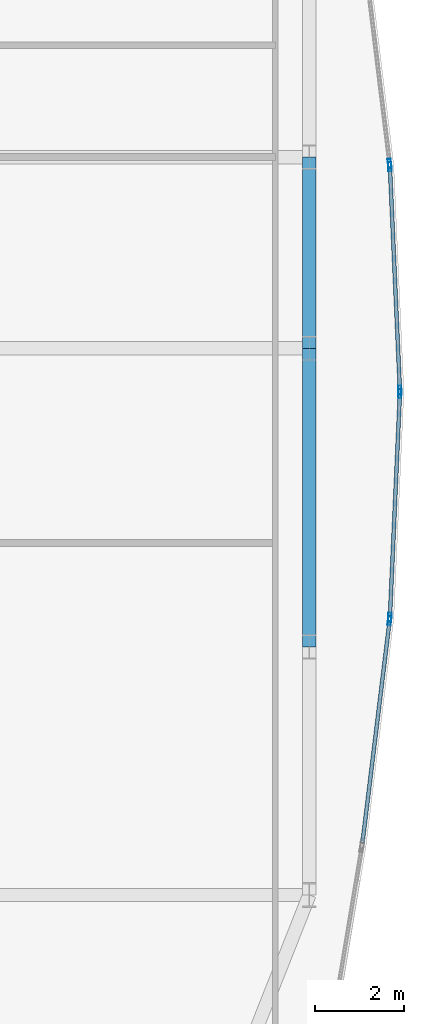
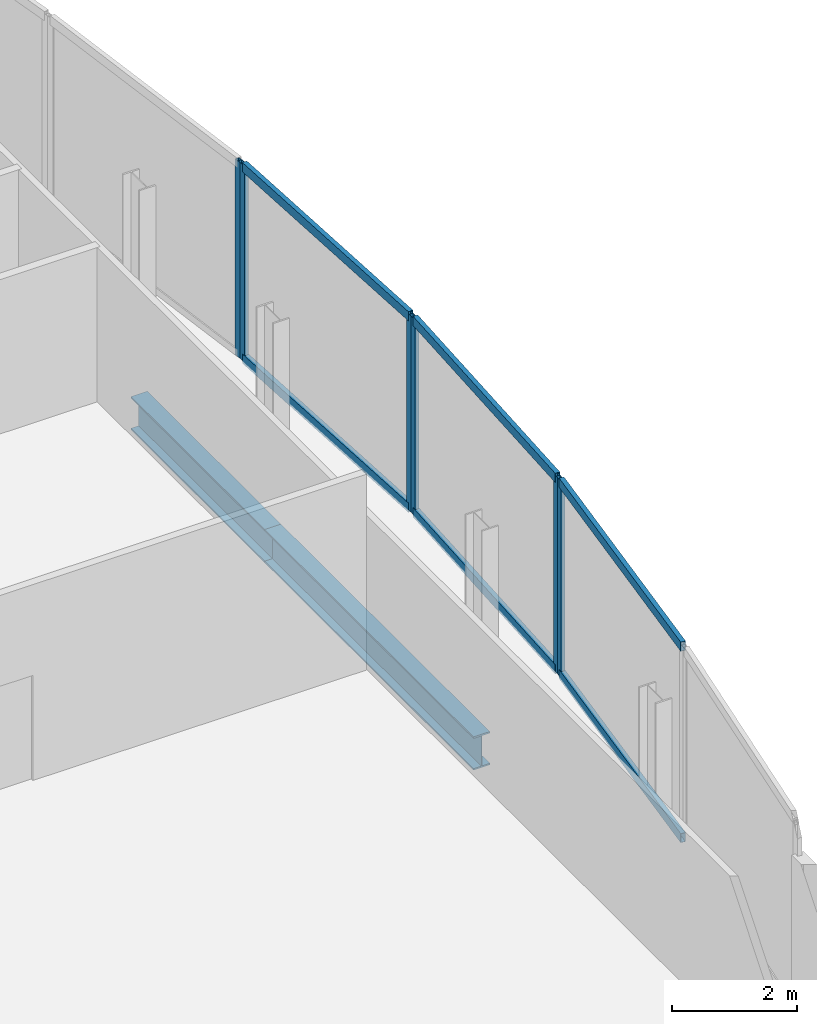
# One storey, part 22 of 32: 12 members, 2 beams, 4 elements without a shape of their own.
"""IFC4 building model written with IfcOpenShell, lengths in metres."""

from ifc_helpers import new_model, si_unit, direction, frame, origin, origin_2d, place, context, subcontext, project, spatial, hollow_rectangle, i_section, extrude, material, material_profile, profile_set, type_object, element, aggregate, save


model = new_model("IFC4")

# Units and contexts
model_context = context("Model", 3, precision=1e-05, world=origin(), true_north=direction((0.0, 1.0)))
body_context = subcontext(model_context, "Body", "Model", "MODEL_VIEW")
ifc_project = project(units=[si_unit("LENGTHUNIT", "METRE"), si_unit("AREAUNIT", "SQUARE_METRE"), si_unit("VOLUMEUNIT", "CUBIC_METRE"), si_unit("PLANEANGLEUNIT", "RADIAN"), si_unit("MASSUNIT", "GRAM", prefix="KILO")], contexts=[model_context])

# Site, building, storey
site_placement = place(None, origin())
site = spatial("IfcSite", under=ifc_project, at=site_placement, CompositionType="ELEMENT")
building_placement = place(site_placement, origin())
building = spatial("IfcBuilding", under=site, at=building_placement, Name="Khoronbel Lancet Exchange", CompositionType="ELEMENT")
storey_placement = place(building_placement, frame((0.0, 0.0, 41.800048828125)))
storey = spatial("IfcBuildingStorey", under=building, at=storey_placement, Name="L09", CompositionType="ELEMENT", Elevation=41.800048828125)

# Beams
ifc_material_1 = material(Name="Steel S355", Category="steel")
ifc_material_profile_1 = material_profile(ifc_material_1, i_section(OverallWidth=0.300048828125, OverallDepth=0.64990234375, WebThickness=0.01611328125, FlangeThickness=0.031005859375, at=origin_2d()), Name="HEB 650")
ifc_profile_set_1 = profile_set([ifc_material_profile_1], Name="Steel S355")
beam_type = type_object("IfcBeamType", Name="BM-BSP1", PredefinedType="SPANDREL", material=ifc_profile_set_1)
beam_1_placement = place(storey_placement, frame((71.6298828125, 24.75, -0.505126953125), z_axis=(0.0, 1.0, 0.0), x_axis=(-1.0, 0.0, 0.0)))
element("IfcBeam", 1, at=beam_1_placement, inside=storey, type_object=beam_type, Name="Level L09 perimeter spandrel beam SP12", PredefinedType="SPANDREL", context=body_context, shape_type="SweptSolid", body=[
    extrude(i_section(OverallWidth=0.300048828125, OverallDepth=0.64990234375, WebThickness=0.01611328125, FlangeThickness=0.031005859375, at=origin_2d()), origin(), (0.0, 0.0, 1.0), 6.675048828125),
])
beam_2_placement = place(storey_placement, frame((71.6298828125, 31.425048828125, -0.505126953125), z_axis=(0.0, 1.0, 0.0), x_axis=(-1.0, 0.0, 0.0)))
element("IfcBeam", 2, at=beam_2_placement, inside=storey, type_object=beam_type, Name="Level L09 perimeter spandrel beam SP13", PredefinedType="SPANDREL", context=body_context, shape_type="SweptSolid", body=[
    extrude(i_section(OverallWidth=0.300048828125, OverallDepth=0.64990234375, WebThickness=0.01611328125, FlangeThickness=0.031005859375, at=origin_2d()), origin(), (0.0, 0.0, 1.0), 4.27490234375),
])

# Curtain wall, member
ifc_material_2 = material(Name="Low-E Solar Control Insulating Glass", Category="glass")
curtain_wall_type = type_object("IfcCurtainWallType", Name="CW-4", PredefinedType="NOTDEFINED", material=ifc_material_2)
curtain_wall_1_placement = place(storey_placement, origin())
curtain_wall_1 = element("IfcCurtainWall", 3, at=curtain_wall_1_placement, inside=storey, type_object=curtain_wall_type, Name="Unitised curtain wall CW-L09-E18", PredefinedType="NOTDEFINED")
ifc_material_3 = material(Name="Bronze-Anodised Aluminium 6063-T6", Category="aluminium")
ifc_material_profile_2 = material_profile(ifc_material_3, hollow_rectangle(XDim=0.074951171875, YDim=0.199951171875, WallThickness=0.0048828125, at=origin_2d()), Name="ALU MULLION 75x200")
ifc_profile_set_2 = profile_set([ifc_material_profile_2], Name="Bronze-Anodised Aluminium 6063-T6")
member_type_1 = type_object("IfcMemberType", Name="MEM-CWM2", PredefinedType="MULLION", material=ifc_profile_set_2)
member_1_placement = place(storey_placement, frame((73.425048828125, 35.56298828125, 0.0), z_axis=(0.0, 0.0, 1.0), x_axis=(0.992621623813, 0.121253090432, 0.0)))
member_1 = element("IfcMember", 4, at=member_1_placement, type_object=member_type_1, Name="CW4 mullion 2", PredefinedType="MULLION", context=body_context, shape_type="SweptSolid", body=[
    extrude(hollow_rectangle(XDim=0.074951171875, YDim=0.199951171875, WallThickness=0.0048828125, at=origin_2d()), origin(), (0.0, 0.0, 1.0), 3.820068359375),
])
aggregate(curtain_wall_1, [member_1])

# Curtain wall, members
curtain_wall_2_placement = place(storey_placement, origin())
curtain_wall_2 = element("IfcCurtainWall", 5, at=curtain_wall_2_placement, inside=storey, type_object=curtain_wall_type, Name="Unitised curtain wall CW-L09-E19", PredefinedType="NOTDEFINED")
member_2_placement = place(storey_placement, frame((73.43115234375, 35.48828125, 0.0), z_axis=(0.0, 0.0, 1.0), x_axis=(0.999001468312, 0.044677357922, 0.0)))
member_2 = element("IfcMember", 6, at=member_2_placement, type_object=member_type_1, Name="CW4 mullion 1", PredefinedType="MULLION", context=body_context, shape_type="SweptSolid", body=[
    extrude(hollow_rectangle(XDim=0.074951171875, YDim=0.199951171875, WallThickness=0.0048828125, at=origin_2d()), origin(), (0.0, 0.0, 1.0), 3.820068359375),
])
member_3_placement = place(storey_placement, frame((73.65478515625, 30.487548828125, 0.0), z_axis=(0.0, 0.0, 1.0), x_axis=(0.999001468312, 0.044677357922, 0.0)))
member_3 = element("IfcMember", 7, at=member_3_placement, type_object=member_type_1, Name="CW4 mullion 2", PredefinedType="MULLION", context=body_context, shape_type="SweptSolid", body=[
    extrude(hollow_rectangle(XDim=0.074951171875, YDim=0.199951171875, WallThickness=0.0048828125, at=origin_2d()), origin(), (0.0, 0.0, 1.0), 3.820068359375),
])

curtain_wall_3_placement = place(storey_placement, origin())
curtain_wall_3 = element("IfcCurtainWall", 8, at=curtain_wall_3_placement, inside=storey, type_object=curtain_wall_type, Name="Unitised curtain wall CW-L09-E20", PredefinedType="NOTDEFINED")
member_4_placement = place(storey_placement, frame((73.65478515625, 30.41259765625, 0.0), z_axis=(0.0, 0.0, 1.0), x_axis=(0.999001468312, -0.044677357922, 0.0)))
member_4 = element("IfcMember", 9, at=member_4_placement, type_object=member_type_1, Name="CW4 mullion 1", PredefinedType="MULLION", context=body_context, shape_type="SweptSolid", body=[
    extrude(hollow_rectangle(XDim=0.074951171875, YDim=0.199951171875, WallThickness=0.0048828125, at=origin_2d()), origin(), (0.0, 0.0, 1.0), 3.820068359375),
])
member_5_placement = place(storey_placement, frame((73.43115234375, 25.41162109375, 0.0), z_axis=(0.0, 0.0, 1.0), x_axis=(0.999001468312, -0.044677357922, 0.0)))
member_5 = element("IfcMember", 10, at=member_5_placement, type_object=member_type_1, Name="CW4 mullion 2", PredefinedType="MULLION", context=body_context, shape_type="SweptSolid", body=[
    extrude(hollow_rectangle(XDim=0.074951171875, YDim=0.199951171875, WallThickness=0.0048828125, at=origin_2d()), origin(), (0.0, 0.0, 1.0), 3.820068359375),
])

# Curtain wall, member
curtain_wall_4_placement = place(storey_placement, origin())
curtain_wall_4 = element("IfcCurtainWall", 11, at=curtain_wall_4_placement, inside=storey, type_object=curtain_wall_type, Name="Unitised curtain wall CW-L09-E21", PredefinedType="NOTDEFINED")
member_6_placement = place(storey_placement, frame((73.425048828125, 25.3369140625, 0.0), z_axis=(0.0, 0.0, 1.0), x_axis=(0.992621623813, -0.121253090432, 0.0)))
member_6 = element("IfcMember", 12, at=member_6_placement, type_object=member_type_1, Name="CW4 mullion 1", PredefinedType="MULLION", context=body_context, shape_type="SweptSolid", body=[
    extrude(hollow_rectangle(XDim=0.074951171875, YDim=0.199951171875, WallThickness=0.0048828125, at=origin_2d()), origin(), (0.0, 0.0, 1.0), 3.820068359375),
])

# Member
ifc_material_profile_3 = material_profile(ifc_material_3, hollow_rectangle(XDim=0.0849609375, YDim=0.179931640625, WallThickness=0.0048828125, at=origin_2d()), Name="ALU TRANSOM 85x180")
ifc_profile_set_3 = profile_set([ifc_material_profile_3], Name="Bronze-Anodised Aluminium 6063-T6")
member_type_2 = type_object("IfcMemberType", Name="MEM-CWT1", PredefinedType="USERDEFINED", material=ifc_profile_set_3)
member_7_placement = place(storey_placement, frame((73.432861328125, 35.450927734375, 0.04248046875), z_axis=(0.044659762802, -0.999002255046, 0.0), x_axis=(0.999002255046, 0.044659762802, 0.0)))
member_7 = element("IfcMember", 13, at=member_7_placement, type_object=member_type_2, Name="CW4 transom 1.1", ObjectType="TRANSOM", PredefinedType="USERDEFINED", context=body_context, shape_type="SweptSolid", body=[
    extrude(hollow_rectangle(XDim=0.0849609375, YDim=0.179931640625, WallThickness=0.0048828125, at=origin_2d()), origin(), (0.0, 0.0, 1.0), 4.930908203125),
])

member_8_placement = place(storey_placement, frame((73.432861328125, 35.450927734375, 3.77734375), z_axis=(0.044659762802, -0.999002255046, 0.0), x_axis=(0.999002255046, 0.044659762802, 0.0)))
member_8 = element("IfcMember", 14, at=member_8_placement, type_object=member_type_2, Name="CW4 transom 1.2", ObjectType="TRANSOM", PredefinedType="USERDEFINED", context=body_context, shape_type="SweptSolid", body=[
    extrude(hollow_rectangle(XDim=0.0849609375, YDim=0.179931640625, WallThickness=0.0048828125, at=origin_2d()), origin(), (0.0, 0.0, 1.0), 4.930908203125),
])

aggregate(curtain_wall_2, [member_2, member_3, member_7, member_8])

member_9_placement = place(storey_placement, frame((73.653076171875, 30.375, 0.04248046875), z_axis=(-0.044661971896, -0.999002156287, 0.0), x_axis=(0.999002156287, -0.044661971896, 0.0)))
member_9 = element("IfcMember", 15, at=member_9_placement, type_object=member_type_2, Name="CW4 transom 1.1", ObjectType="TRANSOM", PredefinedType="USERDEFINED", context=body_context, shape_type="SweptSolid", body=[
    extrude(hollow_rectangle(XDim=0.0849609375, YDim=0.179931640625, WallThickness=0.0048828125, at=origin_2d()), origin(), (0.0, 0.0, 1.0), 4.9306640625),
])

member_10_placement = place(storey_placement, frame((73.653076171875, 30.375, 3.77734375), z_axis=(-0.044661971896, -0.999002156287, 0.0), x_axis=(0.999002156287, -0.044661971896, 0.0)))
member_10 = element("IfcMember", 16, at=member_10_placement, type_object=member_type_2, Name="CW4 transom 1.2", ObjectType="TRANSOM", PredefinedType="USERDEFINED", context=body_context, shape_type="SweptSolid", body=[
    extrude(hollow_rectangle(XDim=0.0849609375, YDim=0.179931640625, WallThickness=0.0048828125, at=origin_2d()), origin(), (0.0, 0.0, 1.0), 4.9306640625),
])

aggregate(curtain_wall_3, [member_4, member_5, member_9, member_10])

member_11_placement = place(storey_placement, frame((73.42041015625, 25.2998046875, 0.04248046875), z_axis=(-0.121238695409, -0.992623382122, 0.0), x_axis=(0.992623382122, -0.121238695409, 0.0)))
member_11 = element("IfcMember", 17, at=member_11_placement, type_object=member_type_2, Name="CW4 transom 1.1", ObjectType="TRANSOM", PredefinedType="USERDEFINED", context=body_context, shape_type="SweptSolid", body=[
    extrude(hollow_rectangle(XDim=0.0849609375, YDim=0.179931640625, WallThickness=0.0048828125, at=origin_2d()), origin(), (0.0, 0.0, 1.0), 4.9658203125),
])

member_12_placement = place(storey_placement, frame((73.42041015625, 25.2998046875, 3.77734375), z_axis=(-0.121238695409, -0.992623382122, 0.0), x_axis=(0.992623382122, -0.121238695409, 0.0)))
member_12 = element("IfcMember", 18, at=member_12_placement, type_object=member_type_2, Name="CW4 transom 1.2", ObjectType="TRANSOM", PredefinedType="USERDEFINED", context=body_context, shape_type="SweptSolid", body=[
    extrude(hollow_rectangle(XDim=0.0849609375, YDim=0.179931640625, WallThickness=0.0048828125, at=origin_2d()), origin(), (0.0, 0.0, 1.0), 4.9658203125),
])

aggregate(curtain_wall_4, [member_6, member_11, member_12])

save(model, "model.ifc")
